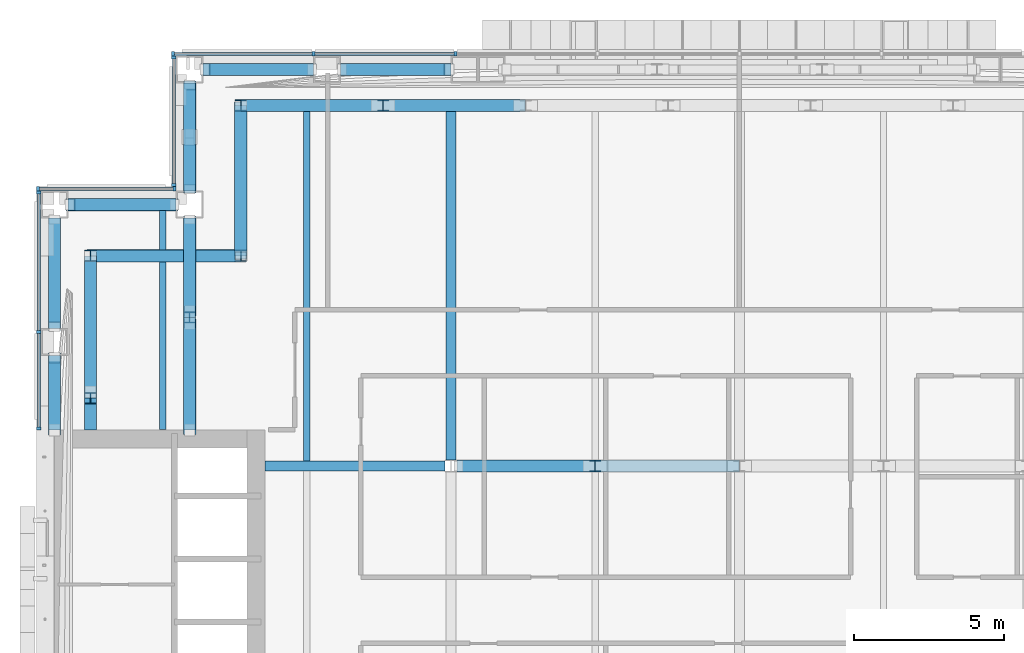
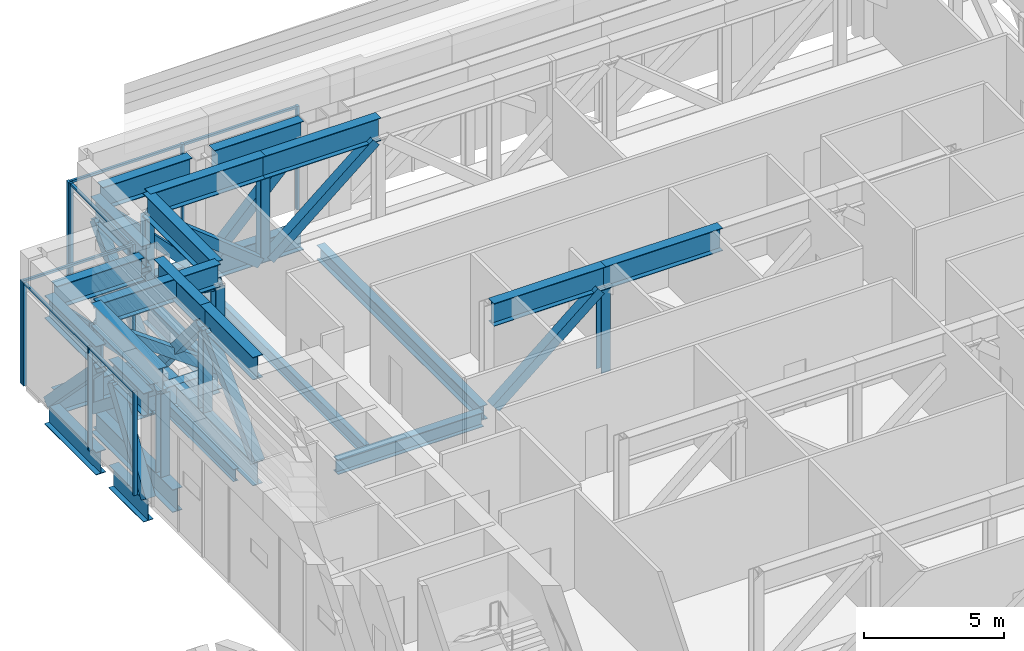
# One storey, part 6 of 38: 64 members, 5 beams, 4 elements without a shape of their own.
"""IFC4 building model written with IfcOpenShell, lengths in metres."""

from ifc_helpers import new_model, si_unit, direction, frame, origin, origin_2d, place, context, subcontext, project, spatial, rectangle, hollow_rectangle, i_section, extrude, material, material_profile, profile_set, type_object, element, aggregate, save


model = new_model("IFC4")

# Units and contexts
model_context = context("Model", 3, precision=1e-05, world=origin(), true_north=direction((0.0, 1.0)))
body_context = subcontext(model_context, "Body", "Model", "MODEL_VIEW")
ifc_project = project(units=[si_unit("LENGTHUNIT", "METRE"), si_unit("AREAUNIT", "SQUARE_METRE"), si_unit("VOLUMEUNIT", "CUBIC_METRE"), si_unit("PLANEANGLEUNIT", "RADIAN"), si_unit("MASSUNIT", "GRAM", prefix="KILO")], contexts=[model_context])

# Site, building, storey
site_placement = place(None, origin())
site = spatial("IfcSite", under=ifc_project, at=site_placement, CompositionType="ELEMENT")
building_placement = place(site_placement, origin())
building = spatial("IfcBuilding", under=site, at=building_placement, Name="Cobrizo Arcos Hotel Tower", CompositionType="ELEMENT")
storey_placement = place(building_placement, frame((0.0, 0.0, 138.0)))
storey = spatial("IfcBuildingStorey", under=building, at=storey_placement, Name="L35", CompositionType="ELEMENT", Elevation=138.0)

# Curtain wall, members
ifc_material_1 = material(Name="Aluminium 6063-T6 anodised bronze", Category="aluminium")
curtain_wall_type = type_object("IfcCurtainWallType", Name="CW-D plant louvre wall", PredefinedType="NOTDEFINED", material=ifc_material_1)
curtain_wall_1_placement = place(storey_placement, origin())
curtain_wall_1 = element("IfcCurtainWall", 1, at=curtain_wall_1_placement, inside=storey, type_object=curtain_wall_type, Name="CW-D L35 N face", PredefinedType="NOTDEFINED")
ifc_material_profile_1 = material_profile(ifc_material_1, rectangle(XDim=0.14990234375, YDim=0.10009765625, at=origin_2d()), Name="CW-D mullion 150x100")
ifc_profile_set_1 = profile_set([ifc_material_profile_1], Name="Aluminium 6063-T6 anodised bronze")
member_type_1 = type_object("IfcMemberType", Name="CW-D mullion 150x100", PredefinedType="MULLION", material=ifc_profile_set_1)
member_1_placement = place(storey_placement, frame((-9.449951171875, 23.324951171875, 0.0), z_axis=(0.0, 0.0, 1.0), x_axis=(0.0, 1.0, 0.0)))
member_1 = element("IfcMember", 2, at=member_1_placement, type_object=member_type_1, Name="CW-D mullion 7", PredefinedType="MULLION", context=body_context, shape_type="SweptSolid", body=[
    extrude(rectangle(XDim=0.14990234375, YDim=0.10009765625, at=origin_2d()), origin(), (0.0, 0.0, 1.0), 4.5),
])
member_2_placement = place(storey_placement, frame((-14.175048828125, 23.324951171875, 0.0), z_axis=(0.0, 0.0, 1.0), x_axis=(0.0, 1.0, 0.0)))
member_2 = element("IfcMember", 3, at=member_2_placement, type_object=member_type_1, Name="CW-D mullion 8", PredefinedType="MULLION", context=body_context, shape_type="SweptSolid", body=[
    extrude(rectangle(XDim=0.14990234375, YDim=0.10009765625, at=origin_2d()), origin(), (0.0, 0.0, 1.0), 4.5),
])
member_3_placement = place(storey_placement, frame((-18.85009765625, 23.324951171875, 0.0), z_axis=(0.0, 0.0, 1.0), x_axis=(0.0, 1.0, 0.0)))
member_3 = element("IfcMember", 4, at=member_3_placement, type_object=member_type_1, Name="CW-D mullion 9", PredefinedType="MULLION", context=body_context, shape_type="SweptSolid", body=[
    extrude(rectangle(XDim=0.14990234375, YDim=0.10009765625, at=origin_2d()), origin(), (0.0, 0.0, 1.0), 4.5),
])

curtain_wall_2_placement = place(storey_placement, origin())
curtain_wall_2 = element("IfcCurtainWall", 5, at=curtain_wall_2_placement, inside=storey, type_object=curtain_wall_type, Name="CW-D L35 W face", PredefinedType="NOTDEFINED")
member_4_placement = place(storey_placement, frame((-18.824951171875, 23.199951171875, 0.0), z_axis=(0.0, 0.0, 1.0), x_axis=(-1.0, 0.0, 0.0)))
member_4 = element("IfcMember", 6, at=member_4_placement, type_object=member_type_1, Name="CW-D mullion 1", PredefinedType="MULLION", context=body_context, shape_type="SweptSolid", body=[
    extrude(rectangle(XDim=0.14990234375, YDim=0.10009765625, at=origin_2d()), origin(), (0.0, 0.0, 1.0), 4.5),
])
member_5_placement = place(storey_placement, frame((-18.824951171875, 18.949951171875, 0.0), z_axis=(0.0, 0.0, 1.0), x_axis=(-1.0, 0.0, 0.0)))
member_5 = element("IfcMember", 7, at=member_5_placement, type_object=member_type_1, Name="CW-D mullion 2", PredefinedType="MULLION", context=body_context, shape_type="SweptSolid", body=[
    extrude(rectangle(XDim=0.14990234375, YDim=0.10009765625, at=origin_2d()), origin(), (0.0, 0.0, 1.0), 4.5),
])

curtain_wall_3_placement = place(storey_placement, origin())
curtain_wall_3 = element("IfcCurtainWall", 8, at=curtain_wall_3_placement, inside=storey, type_object=curtain_wall_type, Name="CW-D L35 N face", PredefinedType="NOTDEFINED")
member_6_placement = place(storey_placement, frame((-18.800048828125, 18.824951171875, 0.0), z_axis=(0.0, 0.0, 1.0), x_axis=(0.0, 1.0, 0.0)))
member_6 = element("IfcMember", 9, at=member_6_placement, type_object=member_type_1, Name="CW-D mullion 1", PredefinedType="MULLION", context=body_context, shape_type="SweptSolid", body=[
    extrude(rectangle(XDim=0.14990234375, YDim=0.10009765625, at=origin_2d()), origin(), (0.0, 0.0, 1.0), 4.5),
])
member_7_placement = place(storey_placement, frame((-23.35009765625, 18.824951171875, 0.0), z_axis=(0.0, 0.0, 1.0), x_axis=(0.0, 1.0, 0.0)))
member_7 = element("IfcMember", 10, at=member_7_placement, type_object=member_type_1, Name="CW-D mullion 2", PredefinedType="MULLION", context=body_context, shape_type="SweptSolid", body=[
    extrude(rectangle(XDim=0.14990234375, YDim=0.10009765625, at=origin_2d()), origin(), (0.0, 0.0, 1.0), 4.5),
])

curtain_wall_4_placement = place(storey_placement, origin())
curtain_wall_4 = element("IfcCurtainWall", 11, at=curtain_wall_4_placement, inside=storey, type_object=curtain_wall_type, Name="CW-D L35 W face", PredefinedType="NOTDEFINED")
member_8_placement = place(storey_placement, frame((-23.324951171875, 18.699951171875, 0.0), z_axis=(0.0, 0.0, 1.0), x_axis=(-1.0, 0.0, 0.0)))
member_8 = element("IfcMember", 12, at=member_8_placement, type_object=member_type_1, Name="CW-D mullion 1", PredefinedType="MULLION", context=body_context, shape_type="SweptSolid", body=[
    extrude(rectangle(XDim=0.14990234375, YDim=0.10009765625, at=origin_2d()), origin(), (0.0, 0.0, 1.0), 4.5),
])
member_9_placement = place(storey_placement, frame((-23.324951171875, 14.0625, 0.0), z_axis=(0.0, 0.0, 1.0), x_axis=(-1.0, 0.0, 0.0)))
member_9 = element("IfcMember", 13, at=member_9_placement, type_object=member_type_1, Name="CW-D mullion 2", PredefinedType="MULLION", context=body_context, shape_type="SweptSolid", body=[
    extrude(rectangle(XDim=0.14990234375, YDim=0.10009765625, at=origin_2d()), origin(), (0.0, 0.0, 1.0), 4.5),
])
member_10_placement = place(storey_placement, frame((-23.324951171875, 10.85009765625, 0.0), z_axis=(0.0, 0.0, 1.0), x_axis=(-1.0, 0.0, 0.0)))
member_10 = element("IfcMember", 14, at=member_10_placement, type_object=member_type_1, Name="CW-D mullion 3", PredefinedType="MULLION", context=body_context, shape_type="SweptSolid", body=[
    extrude(rectangle(XDim=0.14990234375, YDim=0.10009765625, at=origin_2d()), origin(), (0.0, 0.0, 1.0), 4.5),
])

# Member
ifc_material_profile_2 = material_profile(ifc_material_1, rectangle(XDim=0.10009765625, YDim=0.10009765625, at=origin_2d()), Name="CW-D transom 100x100")
ifc_profile_set_2 = profile_set([ifc_material_profile_2], Name="Aluminium 6063-T6 anodised bronze")
member_type_2 = type_object("IfcMemberType", Name="CW-D transom 100x100", PredefinedType="USERDEFINED", material=ifc_profile_set_2)
member_11_placement = place(storey_placement, frame((-9.5, 23.324951171875, 4.449951171875), z_axis=(-1.0, 0.0, 0.0), x_axis=(0.0, -1.0, 0.0)))
member_11 = element("IfcMember", 15, at=member_11_placement, type_object=member_type_2, Name="CW-D transom 1297", ObjectType="TRANSOM", PredefinedType="USERDEFINED", context=body_context, shape_type="SweptSolid", body=[
    extrude(rectangle(XDim=0.10009765625, YDim=0.10009765625, at=origin_2d()), origin(), (0.0, 0.0, 1.0), 4.625),
])

member_12_placement = place(storey_placement, frame((-14.22509765625, 23.324951171875, 4.449951171875), z_axis=(-1.0, 0.0, 0.0), x_axis=(0.0, -1.0, 0.0)))
member_12 = element("IfcMember", 16, at=member_12_placement, type_object=member_type_2, Name="CW-D transom 1298", ObjectType="TRANSOM", PredefinedType="USERDEFINED", context=body_context, shape_type="SweptSolid", body=[
    extrude(rectangle(XDim=0.10009765625, YDim=0.10009765625, at=origin_2d()), origin(), (0.0, 0.0, 1.0), 4.574951171875),
])

aggregate(curtain_wall_1, [member_1, member_2, member_3, member_11, member_12])

member_13_placement = place(storey_placement, frame((-18.824951171875, 23.14990234375, 4.449951171875), z_axis=(0.0, -1.0, 0.0), x_axis=(1.0, 0.0, 0.0)))
member_13 = element("IfcMember", 17, at=member_13_placement, type_object=member_type_2, Name="CW-D transom 1299", ObjectType="TRANSOM", PredefinedType="USERDEFINED", context=body_context, shape_type="SweptSolid", body=[
    extrude(rectangle(XDim=0.10009765625, YDim=0.10009765625, at=origin_2d()), origin(), (0.0, 0.0, 1.0), 4.14990234375),
])

aggregate(curtain_wall_2, [member_4, member_5, member_13])

member_14_placement = place(storey_placement, frame((-18.85009765625, 18.824951171875, 4.449951171875), z_axis=(-1.0, 0.0, 0.0), x_axis=(0.0, -1.0, 0.0)))
member_14 = element("IfcMember", 18, at=member_14_placement, type_object=member_type_2, Name="CW-D transom 1300", ObjectType="TRANSOM", PredefinedType="USERDEFINED", context=body_context, shape_type="SweptSolid", body=[
    extrude(rectangle(XDim=0.10009765625, YDim=0.10009765625, at=origin_2d()), origin(), (0.0, 0.0, 1.0), 4.449951171875),
])

aggregate(curtain_wall_3, [member_6, member_7, member_14])

member_15_placement = place(storey_placement, frame((-23.324951171875, 18.64990234375, 4.449951171875), z_axis=(0.0, -1.0, 0.0), x_axis=(1.0, 0.0, 0.0)))
member_15 = element("IfcMember", 19, at=member_15_placement, type_object=member_type_2, Name="CW-D transom 1301", ObjectType="TRANSOM", PredefinedType="USERDEFINED", context=body_context, shape_type="SweptSolid", body=[
    extrude(rectangle(XDim=0.10009765625, YDim=0.10009765625, at=origin_2d()), origin(), (0.0, 0.0, 1.0), 4.537353515625),
])

member_16_placement = place(storey_placement, frame((-23.324951171875, 14.012451171875, 4.449951171875), z_axis=(0.0, -1.0, 0.0), x_axis=(1.0, 0.0, 0.0)))
member_16 = element("IfcMember", 20, at=member_16_placement, type_object=member_type_2, Name="CW-D transom 1302", ObjectType="TRANSOM", PredefinedType="USERDEFINED", context=body_context, shape_type="SweptSolid", body=[
    extrude(rectangle(XDim=0.10009765625, YDim=0.10009765625, at=origin_2d()), origin(), (0.0, 0.0, 1.0), 3.112548828125),
])

aggregate(curtain_wall_4, [member_8, member_9, member_10, member_15, member_16])

# Members
ifc_material_2 = material(Name="Steel ASTM A500 Grade C", Category="steel")
ifc_material_profile_3 = material_profile(ifc_material_2, hollow_rectangle(XDim=0.406494140625, YDim=0.406494140625, WallThickness=0.014892578125, at=origin_2d()), Name="HSS16X16X5/8")
ifc_profile_set_3 = profile_set([ifc_material_profile_3], Name="Steel ASTM A500 Grade C")
member_type_3 = type_object("IfcMemberType", Name="HSS16X16X5/8 truss diagonal", PredefinedType="BRACE", material=ifc_profile_set_3)
for number, where, z_axis, x_axis, name in (
    (21, (-9.679931640625, 22.800048828125, 3.309326171875), (-0.697692612805, 0.0, -0.716397248764), (0.0, -1.0, 0.0), "Belt truss diagonal TD1, L35, no. 021"),
    (22, (-14.2548828125, 22.800048828125, -0.300048828125), (-0.697692612805, 0.0, 0.716397248764), (0.0, -1.0, 0.0), "Belt truss diagonal TD1, L35, no. 022"),
):
    element("IfcMember", number, at=place(storey_placement, frame(where, z_axis=z_axis, x_axis=x_axis)), inside=storey, type_object=member_type_3, Name=name, PredefinedType="BRACE", context=body_context, shape_type="SweptSolid", body=[
        extrude(hollow_rectangle(XDim=0.406494140625, YDim=0.406494140625, WallThickness=0.014892578125, at=origin_2d()), origin(), (0.0, 0.0, 1.0), 5.038330078125),
    ])
for number, where, z_axis, x_axis, name in (
    (23, (-18.300048828125, 22.27001953125, -0.300048828125), (0.0, -0.689911887798, 0.723893353385), (1.0, 0.0, 0.0), "Belt truss diagonal TD1, L35, no. 023"),
    (24, (-18.830078125, 18.300048828125, -0.300048828125), (-0.689911887798, 0.0, 0.723893353385), (0.0, -1.0, 0.0), "Belt truss diagonal TD1, L35, no. 024"),
):
    element("IfcMember", number, at=place(storey_placement, frame(where, z_axis=z_axis, x_axis=x_axis)), inside=storey, type_object=member_type_3, Name=name, PredefinedType="BRACE", context=body_context, shape_type="SweptSolid", body=[
        extrude(hollow_rectangle(XDim=0.406494140625, YDim=0.406494140625, WallThickness=0.014892578125, at=origin_2d()), origin(), (0.0, 0.0, 1.0), 4.986083984375),
    ])
member_17_placement = place(storey_placement, frame((-22.800048828125, 17.77001953125, -0.300048828125), z_axis=(0.0, -0.697692612805, 0.716397248764), x_axis=(1.0, 0.0, 0.0)))
element("IfcMember", 25, at=member_17_placement, inside=storey, type_object=member_type_3, Name="Belt truss diagonal TD1, L35, no. 025", PredefinedType="BRACE", context=body_context, shape_type="SweptSolid", body=[
    extrude(hollow_rectangle(XDim=0.406494140625, YDim=0.406494140625, WallThickness=0.014892578125, at=origin_2d()), origin(), (0.0, 0.0, 1.0), 5.038330078125),
])
member_18_placement = place(storey_placement, frame((-22.800048828125, 13.195068359375, 3.309326171875), z_axis=(0.0, -0.552747460916, -0.833348813194), x_axis=(1.0, 0.0, 0.0)))
element("IfcMember", 26, at=member_18_placement, inside=storey, type_object=member_type_3, Name="Belt truss diagonal TD1, L35, no. 026", PredefinedType="BRACE", context=body_context, shape_type="SweptSolid", body=[
    extrude(hollow_rectangle(XDim=0.406494140625, YDim=0.406494140625, WallThickness=0.014892578125, at=origin_2d()), origin(), (0.0, 0.0, 1.0), 4.3310546875),
])
member_19_placement = place(storey_placement, frame((-7.31396484375, 21.60009765625, 3.309326171875), z_axis=(-0.769074628043, 0.0, -0.639158991567), x_axis=(0.0, -1.0, 0.0)))
element("IfcMember", 27, at=member_19_placement, inside=storey, type_object=member_type_3, Name="Belt truss diagonal TD1, L35, no. 049", PredefinedType="BRACE", context=body_context, shape_type="SweptSolid", body=[
    extrude(hollow_rectangle(XDim=0.406494140625, YDim=0.406494140625, WallThickness=0.014892578125, at=origin_2d()), origin(), (0.0, 0.0, 1.0), 5.64697265625),
])
member_20_placement = place(storey_placement, frame((-12.056884765625, 21.60009765625, -0.300048828125), z_axis=(-0.782982461562, 0.0, 0.622043780522), x_axis=(0.0, -1.0, 0.0)))
element("IfcMember", 28, at=member_20_placement, inside=storey, type_object=member_type_3, Name="Belt truss diagonal TD1, L35, no. 050", PredefinedType="BRACE", context=body_context, shape_type="SweptSolid", body=[
    extrude(hollow_rectangle(XDim=0.406494140625, YDim=0.406494140625, WallThickness=0.014892578125, at=origin_2d()), origin(), (0.0, 0.0, 1.0), 5.802490234375),
])
for number, where, z_axis, x_axis, name in (
    (29, (-16.60009765625, 21.60009765625, -0.300048828125), (0.0, -0.810812835162, 0.585305515382), (1.0, 0.0, 0.0), "Belt truss diagonal TD1, L35, no. 051"),
    (30, (-16.60009765625, 16.60009765625, -0.300048828125), (-0.810812835162, 0.0, 0.585305515382), (0.0, -1.0, 0.0), "Belt truss diagonal TD1, L35, no. 052"),
):
    element("IfcMember", number, at=place(storey_placement, frame(where, z_axis=z_axis, x_axis=x_axis)), inside=storey, type_object=member_type_3, Name=name, PredefinedType="BRACE", context=body_context, shape_type="SweptSolid", body=[
        extrude(hollow_rectangle(XDim=0.406494140625, YDim=0.406494140625, WallThickness=0.014892578125, at=origin_2d()), origin(), (0.0, 0.0, 1.0), 6.166748046875),
    ])
member_21_placement = place(storey_placement, frame((-21.60009765625, 16.60009765625, -0.300048828125), z_axis=(0.0, -0.782982461562, 0.622043780522), x_axis=(1.0, 0.0, 0.0)))
element("IfcMember", 31, at=member_21_placement, inside=storey, type_object=member_type_3, Name="Belt truss diagonal TD1, L35, no. 053", PredefinedType="BRACE", context=body_context, shape_type="SweptSolid", body=[
    extrude(hollow_rectangle(XDim=0.406494140625, YDim=0.406494140625, WallThickness=0.014892578125, at=origin_2d()), origin(), (0.0, 0.0, 1.0), 5.802490234375),
])
member_22_placement = place(storey_placement, frame((-18.300048828125, 10.800048828125, -0.300048828125), z_axis=(0.0, 0.70122330533, 0.712941705935), x_axis=(-1.0, 0.0, 0.0)))
element("IfcMember", 32, at=member_22_placement, inside=storey, type_object=member_type_3, Name="Outrigger diagonal TD1, L35, no. 010", PredefinedType="BRACE", context=body_context, shape_type="SweptSolid", body=[
    extrude(hollow_rectangle(XDim=0.406494140625, YDim=0.406494140625, WallThickness=0.014892578125, at=origin_2d()), origin(), (0.0, 0.0, 1.0), 5.062744140625),
])
member_23_placement = place(storey_placement, frame((-18.300048828125, 14.75, 3.309326171875), z_axis=(0.0, 0.641713914512, -0.766944099607), x_axis=(-1.0, 0.0, 0.0)))
element("IfcMember", 33, at=member_23_placement, inside=storey, type_object=member_type_3, Name="Outrigger diagonal TD1, L35, no. 011", PredefinedType="BRACE", context=body_context, shape_type="SweptSolid", body=[
    extrude(hollow_rectangle(XDim=0.406494140625, YDim=0.406494140625, WallThickness=0.014892578125, at=origin_2d()), origin(), (0.0, 0.0, 1.0), 4.706298828125),
])
member_24_placement = place(storey_placement, frame((-9.320556640625, 9.60009765625, -0.300048828125), z_axis=(0.767442262329, 0.0, 0.641118065563), x_axis=(0.0, 1.0, 0.0)))
element("IfcMember", 34, at=member_24_placement, inside=storey, type_object=member_type_3, Name="Outrigger diagonal TD1, L35, no. 021", PredefinedType="BRACE", context=body_context, shape_type="SweptSolid", body=[
    extrude(hollow_rectangle(XDim=0.406494140625, YDim=0.406494140625, WallThickness=0.014892578125, at=origin_2d()), origin(), (0.0, 0.0, 1.0), 5.6298828125),
])
for number, where, z_axis, x_axis, name in (
    (35, (-18.300048828125, 18.830078125, -0.300048828125), (0.0, 0.689904799706, 0.723900108677), (-1.0, 0.0, 0.0), "Outrigger diagonal TD1, L35, no. 012"),
    (36, (-18.300048828125, 20.669677734375, 1.630126953125), (0.0, 0.689904799706, 0.723900108677), (-1.0, 0.0, 0.0), "Outrigger diagonal TD1, L35, no. 012b"),
):
    element("IfcMember", number, at=place(storey_placement, frame(where, z_axis=z_axis, x_axis=x_axis)), inside=storey, type_object=member_type_3, Name=name, PredefinedType="BRACE", context=body_context, shape_type="SweptSolid", body=[
        extrude(hollow_rectangle(XDim=0.406494140625, YDim=0.406494140625, WallThickness=0.014892578125, at=origin_2d()), origin(), (0.0, 0.0, 1.0), 2.319580078125),
    ])
ifc_material_3 = material(Name="Steel ASTM A992 Grade 50", Category="steel")
ifc_material_profile_4 = material_profile(ifc_material_3, i_section(OverallWidth=0.373291015625, OverallDepth=0.373291015625, WebThickness=0.016357421875, FlangeThickness=0.026123046875, at=origin_2d()), Name="W14X132")
ifc_profile_set_4 = profile_set([ifc_material_profile_4], Name="Steel ASTM A992 Grade 50")
member_type_4 = type_object("IfcMemberType", Name="W14X132 truss post", PredefinedType="POST", material=ifc_profile_set_4)
for number, where, z_axis, x_axis, name in (
    (37, (-11.85693359375, 21.60009765625, -0.300048828125), (0.0, 0.0, 1.0), (1.0, 0.0, 0.0), "Truss post TP1, L35, no. 025"),
    (38, (-16.60009765625, 21.60009765625, -0.300048828125), (0.0, 0.0, 1.0), (1.0, 0.0, 0.0), "Truss post TP1, L35, no. 026"),
    (39, (-16.60009765625, 16.60009765625, -0.300048828125), (0.0, 0.0, 1.0), (1.0, 0.0, 0.0), "Truss post TP1, L35, no. 027"),
    (40, (-21.60009765625, 16.60009765625, -0.300048828125), (0.0, 0.0, 1.0), (1.0, 0.0, 0.0), "Truss post TP1, L35, no. 028"),
    (41, (-21.60009765625, 11.85693359375, -0.300048828125), (0.0, 0.0, 1.0), (1.0, 0.0, 0.0), "Truss post TP1, L35, no. 029"),
    (42, (-18.300048828125, 14.550048828125, -0.300048828125), (0.0, 0.0, 1.0), (1.0, 0.0, 0.0), "Truss post TP1, L35, no. 036"),
    (43, (-4.800048828125, 9.60009765625, -0.300048828125), (0.0, 0.0, 1.0), (1.0, 0.0, 0.0), "Truss post TP1, L35, no. 043"),
):
    element("IfcMember", number, at=place(storey_placement, frame(where, z_axis=z_axis, x_axis=x_axis)), inside=storey, type_object=member_type_4, Name=name, PredefinedType="POST", context=body_context, shape_type="SweptSolid", body=[
        extrude(i_section(OverallWidth=0.373291015625, OverallDepth=0.373291015625, WebThickness=0.016357421875, FlangeThickness=0.026123046875, at=origin_2d()), origin(), (0.0, 0.0, 1.0), 3.609375),
    ])

# Beams
ifc_material_profile_5 = material_profile(ifc_material_3, i_section(OverallWidth=0.209228515625, OverallDepth=0.533447265625, WebThickness=0.01025390625, FlangeThickness=0.015625, at=origin_2d()), Name="W21X62")
ifc_profile_set_5 = profile_set([ifc_material_profile_5], Name="Steel ASTM A992 Grade 50")
beam_type_1 = type_object("IfcBeamType", Name="W21X62 joist", PredefinedType="JOIST", material=ifc_profile_set_5)
beam_1_placement = place(storey_placement, frame((-19.199951171875, 10.81005859375, -0.566650390625), z_axis=(0.0, 1.0, 0.0), x_axis=(-1.0, 0.0, 0.0)))
element("IfcBeam", 44, at=beam_1_placement, inside=storey, type_object=beam_type_1, Name="Floor joist J1, L35, no. 003", PredefinedType="JOIST", context=body_context, shape_type="SweptSolid", body=[
    extrude(i_section(OverallWidth=0.209228515625, OverallDepth=0.533447265625, WebThickness=0.01025390625, FlangeThickness=0.015625, at=origin_2d()), origin(), (0.0, 0.0, 1.0), 5.58935546875),
])
beam_2_placement = place(storey_placement, frame((-19.199951171875, 16.800537109375, -0.566650390625), z_axis=(0.0, 1.0, 0.0), x_axis=(-1.0, 0.0, 0.0)))
element("IfcBeam", 45, at=beam_2_placement, inside=storey, type_object=beam_type_1, Name="Floor joist J1, L35, no. 004", PredefinedType="JOIST", context=body_context, shape_type="SweptSolid", body=[
    extrude(i_section(OverallWidth=0.209228515625, OverallDepth=0.533447265625, WebThickness=0.01025390625, FlangeThickness=0.015625, at=origin_2d()), origin(), (0.0, 0.0, 1.0), 1.299072265625),
])
beam_3_placement = place(storey_placement, frame((-14.39990234375, 9.763916015625, -0.566650390625), z_axis=(0.0, 1.0, 0.0), x_axis=(-1.0, 0.0, 0.0)))
element("IfcBeam", 46, at=beam_3_placement, inside=storey, type_object=beam_type_1, Name="Floor joist J1, L35, no. 008", PredefinedType="JOIST", context=body_context, shape_type="SweptSolid", body=[
    extrude(i_section(OverallWidth=0.209228515625, OverallDepth=0.533447265625, WebThickness=0.01025390625, FlangeThickness=0.015625, at=origin_2d()), origin(), (0.0, 0.0, 1.0), 11.635498046875),
])
ifc_material_profile_6 = material_profile(ifc_material_3, i_section(OverallWidth=0.32763671875, OverallDepth=0.622314453125, WebThickness=0.015380859375, FlangeThickness=0.0244140625, at=origin_2d()), Name="W24X131")
ifc_profile_set_6 = profile_set([ifc_material_profile_6], Name="Steel ASTM A992 Grade 50")
beam_type_2 = type_object("IfcBeamType", Name="W24X131 girder", PredefinedType="BEAM", material=ifc_profile_set_6)
beam_4_placement = place(storey_placement, frame((-15.7900390625, 9.60009765625, -0.611083984375), z_axis=(1.0, 0.0, 0.0), x_axis=(0.0, 1.0, 0.0)))
element("IfcBeam", 47, at=beam_4_placement, inside=storey, type_object=beam_type_2, Name="Floor girder G1, L35, no. 005", PredefinedType="BEAM", context=body_context, shape_type="SweptSolid", body=[
    extrude(i_section(OverallWidth=0.32763671875, OverallDepth=0.622314453125, WebThickness=0.015380859375, FlangeThickness=0.0244140625, at=origin_2d()), origin(), (0.0, 0.0, 1.0), 5.99072265625),
])
beam_5_placement = place(storey_placement, frame((-9.60009765625, 9.800537109375, -0.611083984375), z_axis=(0.0, 1.0, 0.0), x_axis=(-1.0, 0.0, 0.0)))
element("IfcBeam", 48, at=beam_5_placement, inside=storey, type_object=beam_type_2, Name="Floor girder G1, L35, no. 010", PredefinedType="BEAM", context=body_context, shape_type="SweptSolid", body=[
    extrude(i_section(OverallWidth=0.32763671875, OverallDepth=0.622314453125, WebThickness=0.015380859375, FlangeThickness=0.0244140625, at=origin_2d()), origin(), (0.0, 0.0, 1.0), 11.598876953125),
])

# Members
ifc_material_profile_7 = material_profile(ifc_material_3, i_section(OverallWidth=0.4013671875, OverallDepth=0.990478515625, WebThickness=0.0166015625, FlangeThickness=0.025390625, at=origin_2d()), Name="W40X215")
ifc_profile_set_7 = profile_set([ifc_material_profile_7], Name="Steel ASTM A992 Grade 50")
member_type_5 = type_object("IfcMemberType", Name="W40X215 belt truss chord", PredefinedType="CHORD", material=ifc_profile_set_7)
member_25_placement = place(storey_placement, frame((-9.60009765625, 22.800048828125, -0.79541015625), z_axis=(-1.0, 0.0, 0.0), x_axis=(0.0, -1.0, 0.0)))
element("IfcMember", 49, at=member_25_placement, inside=storey, type_object=member_type_5, Name="Belt truss bottom chord TC1, L35, no. 017", PredefinedType="CHORD", context=body_context, shape_type="SweptSolid", body=[
    extrude(i_section(OverallWidth=0.4013671875, OverallDepth=0.990478515625, WebThickness=0.0166015625, FlangeThickness=0.025390625, at=origin_2d()), origin(), (0.0, 0.0, 1.0), 3.6748046875),
])
member_26_placement = place(storey_placement, frame((-14.175048828125, 22.800048828125, -0.79541015625), z_axis=(-1.0, 0.0, 0.0), x_axis=(0.0, -1.0, 0.0)))
element("IfcMember", 50, at=member_26_placement, inside=storey, type_object=member_type_5, Name="Belt truss bottom chord TC1, L35, no. 018", PredefinedType="CHORD", context=body_context, shape_type="SweptSolid", body=[
    extrude(i_section(OverallWidth=0.4013671875, OverallDepth=0.990478515625, WebThickness=0.0166015625, FlangeThickness=0.025390625, at=origin_2d()), origin(), (0.0, 0.0, 1.0), 3.675048828125),
])
member_27_placement = place(storey_placement, frame((-9.60009765625, 22.800048828125, 3.8046875), z_axis=(-1.0, 0.0, 0.0), x_axis=(0.0, -1.0, 0.0)))
element("IfcMember", 51, at=member_27_placement, inside=storey, type_object=member_type_5, Name="Belt truss top chord TC1, L35, no. 021", PredefinedType="CHORD", context=body_context, shape_type="SweptSolid", body=[
    extrude(i_section(OverallWidth=0.4013671875, OverallDepth=0.990478515625, WebThickness=0.0166015625, FlangeThickness=0.025390625, at=origin_2d()), origin(), (0.0, 0.0, 1.0), 3.6748046875),
])
member_28_placement = place(storey_placement, frame((-14.175048828125, 22.800048828125, 3.8046875), z_axis=(-1.0, 0.0, 0.0), x_axis=(0.0, -1.0, 0.0)))
element("IfcMember", 52, at=member_28_placement, inside=storey, type_object=member_type_5, Name="Belt truss top chord TC1, L35, no. 022", PredefinedType="CHORD", context=body_context, shape_type="SweptSolid", body=[
    extrude(i_section(OverallWidth=0.4013671875, OverallDepth=0.990478515625, WebThickness=0.0166015625, FlangeThickness=0.025390625, at=origin_2d()), origin(), (0.0, 0.0, 1.0), 3.675048828125),
])
for number, where, z_axis, x_axis, name in (
    (53, (-18.300048828125, 22.35009765625, -0.79541015625), (0.0, -1.0, 0.0), (1.0, 0.0, 0.0), "Belt truss bottom chord TC1, L35, no. 019"),
    (54, (-18.300048828125, 22.35009765625, 3.8046875), (0.0, -1.0, 0.0), (1.0, 0.0, 0.0), "Belt truss top chord TC1, L35, no. 023"),
    (55, (-18.75, 18.300048828125, -0.79541015625), (-1.0, 0.0, 0.0), (0.0, -1.0, 0.0), "Belt truss bottom chord TC1, L35, no. 020"),
    (56, (-18.75, 18.300048828125, 3.8046875), (-1.0, 0.0, 0.0), (0.0, -1.0, 0.0), "Belt truss top chord TC1, L35, no. 024"),
):
    element("IfcMember", number, at=place(storey_placement, frame(where, z_axis=z_axis, x_axis=x_axis)), inside=storey, type_object=member_type_5, Name=name, PredefinedType="CHORD", context=body_context, shape_type="SweptSolid", body=[
        extrude(i_section(OverallWidth=0.4013671875, OverallDepth=0.990478515625, WebThickness=0.0166015625, FlangeThickness=0.025390625, at=origin_2d()), origin(), (0.0, 0.0, 1.0), 3.60009765625),
    ])
member_29_placement = place(storey_placement, frame((-22.800048828125, 17.85009765625, -0.79541015625), z_axis=(0.0, -1.0, 0.0), x_axis=(1.0, 0.0, 0.0)))
element("IfcMember", 57, at=member_29_placement, inside=storey, type_object=member_type_5, Name="Belt truss bottom chord TC1, L35, no. 021", PredefinedType="CHORD", context=body_context, shape_type="SweptSolid", body=[
    extrude(i_section(OverallWidth=0.4013671875, OverallDepth=0.990478515625, WebThickness=0.0166015625, FlangeThickness=0.025390625, at=origin_2d()), origin(), (0.0, 0.0, 1.0), 3.675048828125),
])
member_30_placement = place(storey_placement, frame((-22.800048828125, 13.27490234375, -0.79541015625), z_axis=(0.0, -1.0, 0.0), x_axis=(1.0, 0.0, 0.0)))
element("IfcMember", 58, at=member_30_placement, inside=storey, type_object=member_type_5, Name="Belt truss bottom chord TC1, L35, no. 022", PredefinedType="CHORD", context=body_context, shape_type="SweptSolid", body=[
    extrude(i_section(OverallWidth=0.4013671875, OverallDepth=0.990478515625, WebThickness=0.0166015625, FlangeThickness=0.025390625, at=origin_2d()), origin(), (0.0, 0.0, 1.0), 2.473876953125),
])
member_31_placement = place(storey_placement, frame((-22.800048828125, 17.85009765625, 3.8046875), z_axis=(0.0, -1.0, 0.0), x_axis=(1.0, 0.0, 0.0)))
element("IfcMember", 59, at=member_31_placement, inside=storey, type_object=member_type_5, Name="Belt truss top chord TC1, L35, no. 025", PredefinedType="CHORD", context=body_context, shape_type="SweptSolid", body=[
    extrude(i_section(OverallWidth=0.4013671875, OverallDepth=0.990478515625, WebThickness=0.0166015625, FlangeThickness=0.025390625, at=origin_2d()), origin(), (0.0, 0.0, 1.0), 3.675048828125),
])
member_32_placement = place(storey_placement, frame((-22.800048828125, 13.27490234375, 3.8046875), z_axis=(0.0, -1.0, 0.0), x_axis=(1.0, 0.0, 0.0)))
element("IfcMember", 60, at=member_32_placement, inside=storey, type_object=member_type_5, Name="Belt truss top chord TC1, L35, no. 026", PredefinedType="CHORD", context=body_context, shape_type="SweptSolid", body=[
    extrude(i_section(OverallWidth=0.4013671875, OverallDepth=0.990478515625, WebThickness=0.0166015625, FlangeThickness=0.025390625, at=origin_2d()), origin(), (0.0, 0.0, 1.0), 2.473876953125),
])
member_33_placement = place(storey_placement, frame((-7.114013671875, 21.60009765625, 3.8046875), z_axis=(-1.0, 0.0, 0.0), x_axis=(0.0, -1.0, 0.0)))
element("IfcMember", 61, at=member_33_placement, inside=storey, type_object=member_type_5, Name="Belt truss top chord TC1, L35, no. 049", PredefinedType="CHORD", context=body_context, shape_type="SweptSolid", body=[
    extrude(i_section(OverallWidth=0.4013671875, OverallDepth=0.990478515625, WebThickness=0.0166015625, FlangeThickness=0.025390625, at=origin_2d()), origin(), (0.0, 0.0, 1.0), 4.742919921875),
])
member_34_placement = place(storey_placement, frame((-11.85693359375, 21.60009765625, 3.8046875), z_axis=(-1.0, 0.0, 0.0), x_axis=(0.0, -1.0, 0.0)))
element("IfcMember", 62, at=member_34_placement, inside=storey, type_object=member_type_5, Name="Belt truss top chord TC1, L35, no. 050", PredefinedType="CHORD", context=body_context, shape_type="SweptSolid", body=[
    extrude(i_section(OverallWidth=0.4013671875, OverallDepth=0.990478515625, WebThickness=0.0166015625, FlangeThickness=0.025390625, at=origin_2d()), origin(), (0.0, 0.0, 1.0), 4.7431640625),
])
for number, where, z_axis, x_axis, name in (
    (63, (-16.60009765625, 21.60009765625, -0.79541015625), (0.0, -1.0, 0.0), (1.0, 0.0, 0.0), "Belt truss bottom chord TC1, L35, no. 035"),
    (64, (-16.60009765625, 21.60009765625, 3.8046875), (0.0, -1.0, 0.0), (1.0, 0.0, 0.0), "Belt truss top chord TC1, L35, no. 051"),
    (65, (-16.60009765625, 16.60009765625, -0.79541015625), (-1.0, 0.0, 0.0), (0.0, -1.0, 0.0), "Belt truss bottom chord TC1, L35, no. 036"),
    (66, (-16.60009765625, 16.60009765625, 3.8046875), (-1.0, 0.0, 0.0), (0.0, -1.0, 0.0), "Belt truss top chord TC1, L35, no. 052"),
):
    element("IfcMember", number, at=place(storey_placement, frame(where, z_axis=z_axis, x_axis=x_axis)), inside=storey, type_object=member_type_5, Name=name, PredefinedType="CHORD", context=body_context, shape_type="SweptSolid", body=[
        extrude(i_section(OverallWidth=0.4013671875, OverallDepth=0.990478515625, WebThickness=0.0166015625, FlangeThickness=0.025390625, at=origin_2d()), origin(), (0.0, 0.0, 1.0), 5.0),
    ])
member_35_placement = place(storey_placement, frame((-21.60009765625, 16.60009765625, -0.79541015625), z_axis=(0.0, -1.0, 0.0), x_axis=(1.0, 0.0, 0.0)))
element("IfcMember", 67, at=member_35_placement, inside=storey, type_object=member_type_5, Name="Belt truss bottom chord TC1, L35, no. 037", PredefinedType="CHORD", context=body_context, shape_type="SweptSolid", body=[
    extrude(i_section(OverallWidth=0.4013671875, OverallDepth=0.990478515625, WebThickness=0.0166015625, FlangeThickness=0.025390625, at=origin_2d()), origin(), (0.0, 0.0, 1.0), 5.799072265625),
])
member_36_placement = place(storey_placement, frame((-21.60009765625, 16.60009765625, 3.8046875), z_axis=(0.0, -1.0, 0.0), x_axis=(1.0, 0.0, 0.0)))
element("IfcMember", 68, at=member_36_placement, inside=storey, type_object=member_type_5, Name="Belt truss top chord TC1, L35, no. 053", PredefinedType="CHORD", context=body_context, shape_type="SweptSolid", body=[
    extrude(i_section(OverallWidth=0.4013671875, OverallDepth=0.990478515625, WebThickness=0.0166015625, FlangeThickness=0.025390625, at=origin_2d()), origin(), (0.0, 0.0, 1.0), 4.7431640625),
])
member_37_placement = place(storey_placement, frame((-18.300048828125, 10.800048828125, -0.79541015625), z_axis=(0.0, 1.0, 0.0), x_axis=(-1.0, 0.0, 0.0)))
element("IfcMember", 69, at=member_37_placement, inside=storey, type_object=member_type_5, Name="Outrigger bottom chord TC1, L35, no. 007", PredefinedType="CHORD", context=body_context, shape_type="SweptSolid", body=[
    extrude(i_section(OverallWidth=0.4013671875, OverallDepth=0.990478515625, WebThickness=0.0166015625, FlangeThickness=0.025390625, at=origin_2d()), origin(), (0.0, 0.0, 1.0), 7.050048828125),
])
member_38_placement = place(storey_placement, frame((-18.300048828125, 10.800048828125, 3.8046875), z_axis=(0.0, 1.0, 0.0), x_axis=(-1.0, 0.0, 0.0)))
element("IfcMember", 70, at=member_38_placement, inside=storey, type_object=member_type_5, Name="Outrigger top chord TC1, L35, no. 010", PredefinedType="CHORD", context=body_context, shape_type="SweptSolid", body=[
    extrude(i_section(OverallWidth=0.4013671875, OverallDepth=0.990478515625, WebThickness=0.0166015625, FlangeThickness=0.025390625, at=origin_2d()), origin(), (0.0, 0.0, 1.0), 3.75),
])
member_39_placement = place(storey_placement, frame((-18.300048828125, 14.550048828125, 3.8046875), z_axis=(0.0, 1.0, 0.0), x_axis=(-1.0, 0.0, 0.0)))
element("IfcMember", 71, at=member_39_placement, inside=storey, type_object=member_type_5, Name="Outrigger top chord TC1, L35, no. 011", PredefinedType="CHORD", context=body_context, shape_type="SweptSolid", body=[
    extrude(i_section(OverallWidth=0.4013671875, OverallDepth=0.990478515625, WebThickness=0.0166015625, FlangeThickness=0.025390625, at=origin_2d()), origin(), (0.0, 0.0, 1.0), 3.300048828125),
])
member_40_placement = place(storey_placement, frame((-9.400634765625, 9.60009765625, 3.8046875), z_axis=(1.0, 0.0, 0.0), x_axis=(0.0, 1.0, 0.0)))
element("IfcMember", 72, at=member_40_placement, inside=storey, type_object=member_type_5, Name="Outrigger top chord TC1, L35, no. 021", PredefinedType="CHORD", context=body_context, shape_type="SweptSolid", body=[
    extrude(i_section(OverallWidth=0.4013671875, OverallDepth=0.990478515625, WebThickness=0.0166015625, FlangeThickness=0.025390625, at=origin_2d()), origin(), (0.0, 0.0, 1.0), 4.6005859375),
])
member_41_placement = place(storey_placement, frame((-4.800048828125, 9.60009765625, 3.8046875), z_axis=(1.0, 0.0, 0.0), x_axis=(0.0, 1.0, 0.0)))
element("IfcMember", 73, at=member_41_placement, inside=storey, type_object=member_type_5, Name="Outrigger top chord TC1, L35, no. 022", PredefinedType="CHORD", context=body_context, shape_type="SweptSolid", body=[
    extrude(i_section(OverallWidth=0.4013671875, OverallDepth=0.990478515625, WebThickness=0.0166015625, FlangeThickness=0.025390625, at=origin_2d()), origin(), (0.0, 0.0, 1.0), 4.800048828125),
])

save(model, "model.ifc")
